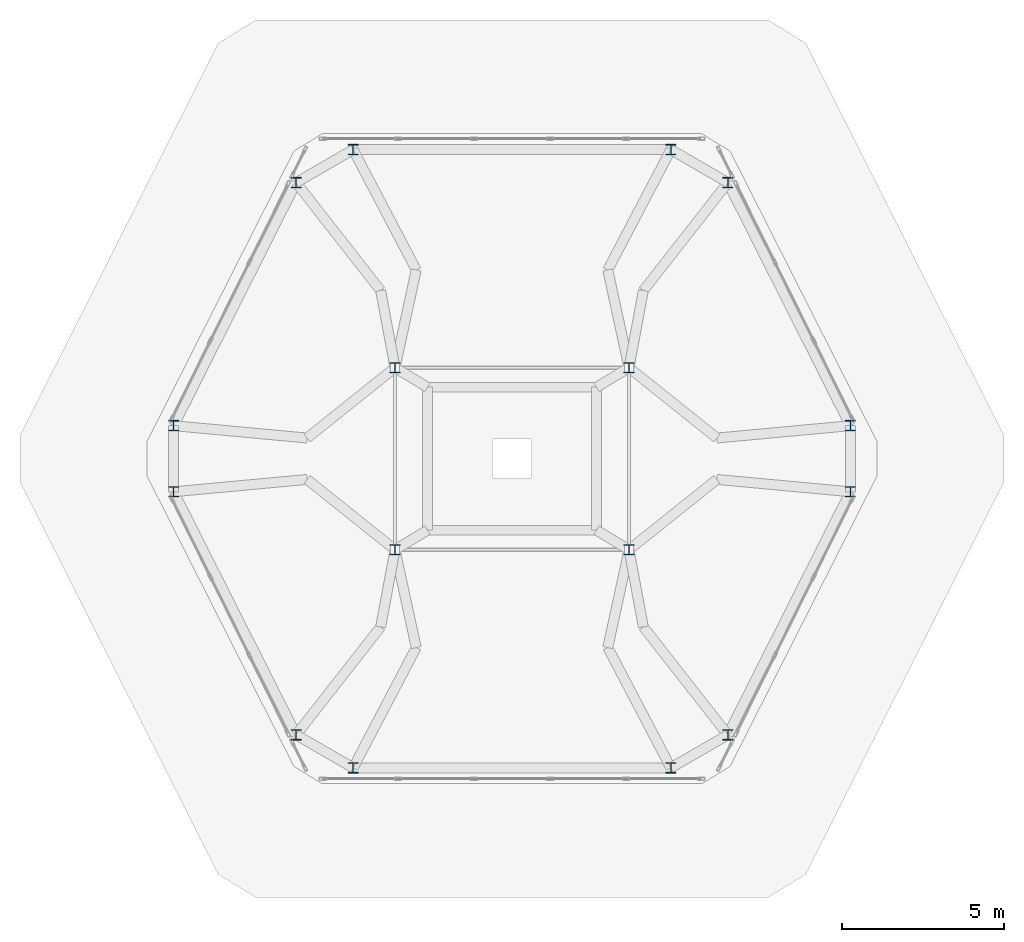
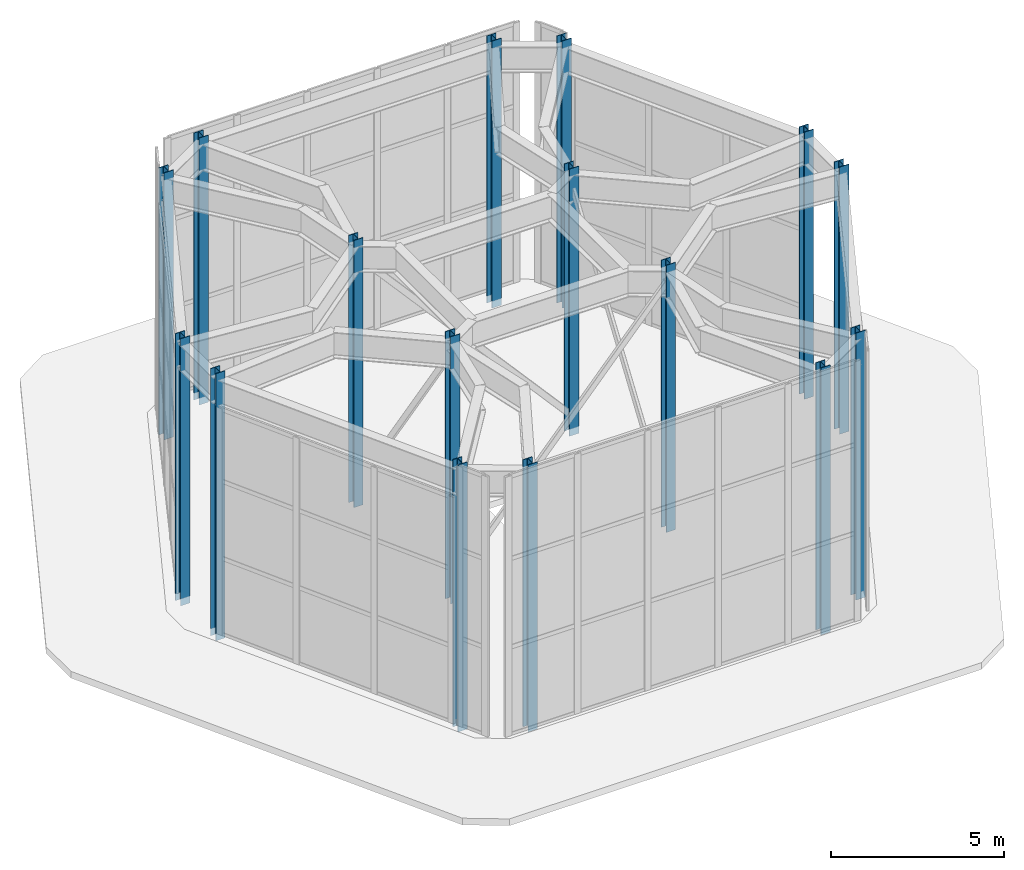
# One storey, part 1 of 9: 16 columns.
"""IFC4 building model written with IfcOpenShell, lengths in metres."""

from ifc_helpers import new_model, si_unit, direction, frame, origin, origin_2d, place, context, subcontext, project, spatial, i_section, extrude, material, material_profile, profile_set, type_object, element, save


model = new_model("IFC4")

# Units and contexts
model_context = context("Model", 3, precision=1e-05, world=origin(), true_north=direction((0.0, 1.0)))
body_context = subcontext(model_context, "Body", "Model", "MODEL_VIEW")
ifc_project = project(units=[si_unit("LENGTHUNIT", "METRE"), si_unit("AREAUNIT", "SQUARE_METRE"), si_unit("VOLUMEUNIT", "CUBIC_METRE"), si_unit("PLANEANGLEUNIT", "RADIAN"), si_unit("MASSUNIT", "GRAM", prefix="KILO")], contexts=[model_context])

# Site, building, storey
site_placement = place(None, origin())
site = spatial("IfcSite", under=ifc_project, at=site_placement, CompositionType="ELEMENT")
building_placement = place(site_placement, origin())
building = spatial("IfcBuilding", under=site, at=building_placement, Name="Cinnabar Lancet Tower", CompositionType="ELEMENT")
storey_placement = place(building_placement, frame((0.0, 0.0, 323.85009765625)))
storey = spatial("IfcBuildingStorey", under=building, at=storey_placement, Name="L82", CompositionType="ELEMENT", Elevation=323.85009765625)

# Columns
ifc_material = material(Name="Structural steel S460", Category="steel")
ifc_material_profile = material_profile(ifc_material, i_section(OverallWidth=0.30908203125, OverallDepth=0.320556640625, WebThickness=0.013916015625, FlangeThickness=0.021728515625, FilletRadius=0.01513671875, at=origin_2d()), Name="UKC 305x305x137")
ifc_profile_set = profile_set([ifc_material_profile], Name="Structural steel S460")
column_type = type_object("IfcColumnType", Name="STR-COL-STL-137", PredefinedType="COLUMN", material=ifc_profile_set)
for number, where, z_axis, x_axis, name in (
    (1, (27.511962890625, 16.2890625, -0.25), (0.0, 0.0, 1.0), (1.0, 0.0, 0.0), "L82 Crown Lancet Steel Rib Column 1"),
    (2, (37.2880859375, 16.2890625, -0.25), (0.0, 0.0, 1.0), (1.0, 0.0, 0.0), "L82 Crown Lancet Steel Rib Column 2"),
    (3, (39.04296875, 17.303955078125, -0.25), (0.0, 0.0, 1.0), (1.0, 0.0, 0.0), "L82 Crown Lancet Steel Rib Column 3"),
    (4, (42.81103515625, 24.782958984375, -0.25), (0.0, 0.0, 1.0), (1.0, 0.0, 0.0), "L82 Crown Lancet Steel Rib Column 4"),
    (5, (42.81103515625, 26.81689453125, -0.25), (0.0, 0.0, 1.0), (1.0, 0.0, 0.0), "L82 Crown Lancet Steel Rib Column 5"),
    (6, (39.04296875, 34.2958984375, -0.25), (0.0, 0.0, 1.0), (1.0, 0.0, 0.0), "L82 Crown Lancet Steel Rib Column 6"),
    (7, (37.2880859375, 35.31103515625, -0.25), (0.0, 0.0, 1.0), (1.0, 0.0, 0.0), "L82 Crown Lancet Steel Rib Column 7"),
    (8, (27.511962890625, 35.31103515625, -0.25), (0.0, 0.0, 1.0), (1.0, 0.0, 0.0), "L82 Crown Lancet Steel Rib Column 8"),
    (9, (25.757080078125, 34.2958984375, -0.25), (0.0, 0.0, 1.0), (1.0, 0.0, 0.0), "L82 Crown Lancet Steel Rib Column 9"),
    (10, (21.989013671875, 26.81689453125, -0.25), (0.0, 0.0, 1.0), (1.0, 0.0, 0.0), "L82 Crown Lancet Steel Rib Column 10"),
    (11, (21.989013671875, 24.782958984375, -0.25), (0.0, 0.0, 1.0), (1.0, 0.0, 0.0), "L82 Crown Lancet Steel Rib Column 11"),
    (12, (25.757080078125, 17.303955078125, -0.25), (0.0, 0.0, 1.0), (1.0, 0.0, 0.0), "L82 Crown Lancet Steel Rib Column 12"),
    (13, (28.800048828125, 23.0, -0.25), (0.0, 0.0, 1.0), (1.0, 0.0, 0.0), "L82 Crown Inner Ring Column SW"),
    (14, (36.0, 23.0, -0.25), (0.0, 0.0, 1.0), (1.0, 0.0, 0.0), "L82 Crown Inner Ring Column SE"),
    (15, (36.0, 28.60009765625, -0.25), (0.0, 0.0, 1.0), (1.0, 0.0, 0.0), "L82 Crown Inner Ring Column NE"),
    (16, (28.800048828125, 28.60009765625, -0.25), (0.0, 0.0, 1.0), (1.0, 0.0, 0.0), "L82 Crown Inner Ring Column NW"),
):
    element("IfcColumn", number, at=place(storey_placement, frame(where, z_axis=z_axis, x_axis=x_axis)), inside=storey, type_object=column_type, Name=name, PredefinedType="COLUMN", context=body_context, shape_type="SweptSolid", body=[
        extrude(i_section(OverallWidth=0.30908203125, OverallDepth=0.320556640625, WebThickness=0.013916015625, FlangeThickness=0.021728515625, FilletRadius=0.01513671875, at=origin_2d()), origin(), (0.0, 0.0, 1.0), 9.4248046875),
    ])

save(model, "model.ifc")
